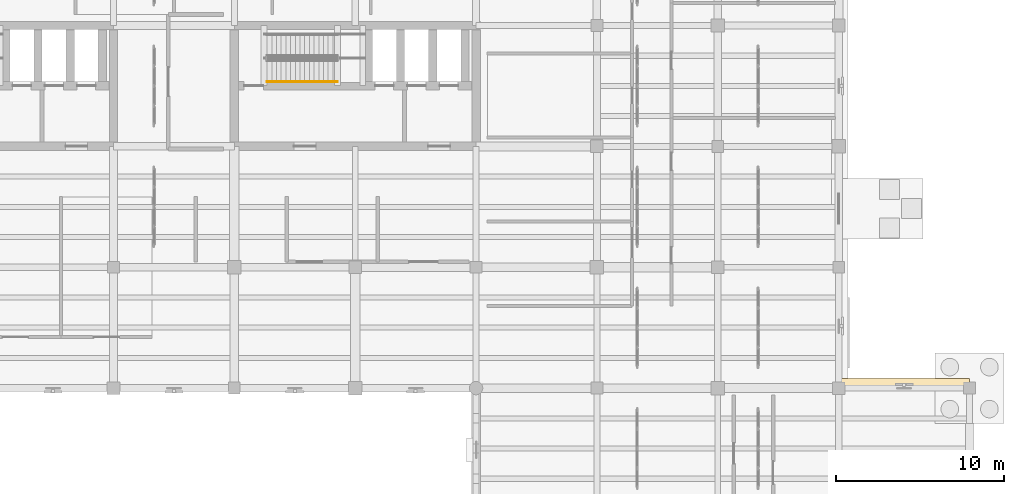
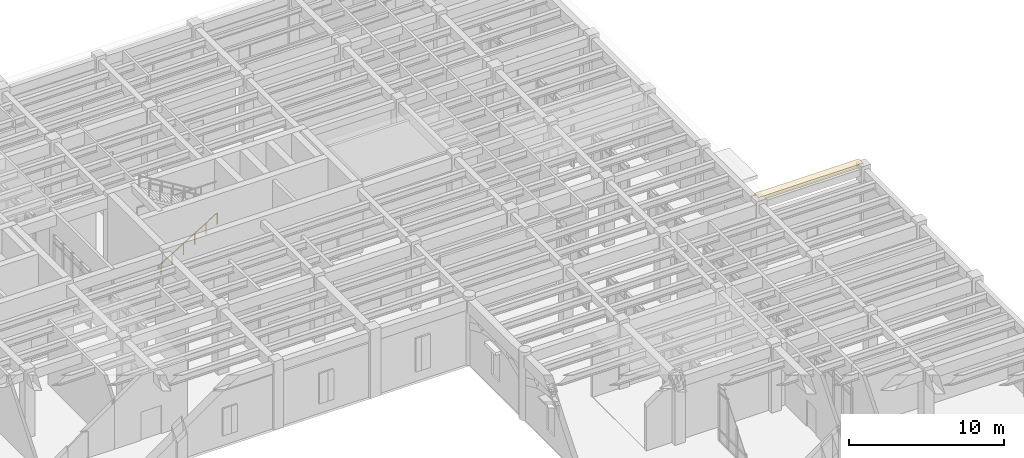
# One storey, part 98 of 100: 1 covering, 1 railing.
"""IFC4 building model written with IfcOpenShell, lengths in metres."""

from ifc_helpers import new_model, si_unit, direction, frame, origin, origin_2d, place, context, subcontext, project, spatial, rectangle, circle, extrude, material, layer, layer_set, type_object, element, save


model = new_model("IFC4")

# Units and contexts
model_context = context("Model", 3, precision=1e-05, world=origin(), true_north=direction((0.0, 1.0)))
body_context = subcontext(model_context, "Body", "Model", "MODEL_VIEW")
ifc_project = project(units=[si_unit("LENGTHUNIT", "METRE"), si_unit("AREAUNIT", "SQUARE_METRE"), si_unit("VOLUMEUNIT", "CUBIC_METRE"), si_unit("PLANEANGLEUNIT", "RADIAN"), si_unit("MASSUNIT", "GRAM", prefix="KILO")], contexts=[model_context])

# Site, building, storey
site_placement = place(None, origin())
site = spatial("IfcSite", under=ifc_project, at=site_placement, CompositionType="ELEMENT")
building_placement = place(site_placement, origin())
building = spatial("IfcBuilding", under=site, at=building_placement, Name="Mithqara Police Headquarters", CompositionType="ELEMENT")
storey_placement = place(building_placement, origin())
storey = spatial("IfcBuildingStorey", under=building, at=storey_placement, Name="L00", CompositionType="ELEMENT", Elevation=0.0)

# Covering
ifc_material_1 = material(Name="Limestone ashlar masonry, 45 MPa", Category="masonry")
ifc_layer = layer(ifc_material_1, 0.320068359375, Name="Limestone ashlar masonry, 45 MPa")
ifc_layer_set = layer_set([ifc_layer], Name="Limestone ashlar masonry, 45 MPa")
covering_type = type_object("IfcCoveringType", Name="CORNICE LIMESTONE", PredefinedType="CLADDING", material=ifc_layer_set)
covering_placement = place(storey_placement, frame((170.10009765625, 78.8798828125, 5.1201171875), z_axis=(0.0, 0.0, 1.0), x_axis=(1.0, 0.0, 0.0)))
element("IfcCovering", 1, at=covering_placement, inside=storey, type_object=covering_type, Name="L00 Projecting Ottoman Limestone Eaves Cornice 5", PredefinedType="CLADDING", context=body_context, shape_type="SweptSolid", body=[
    extrude(rectangle(XDim=7.800048828125, YDim=0.56005859375, at=origin_2d()), origin(), (0.0, 0.0, 1.0), 0.280029296875),
])

# Railing
ifc_material_2 = material(Name="Steel S355JR", Category="steel")
railing_type = type_object("IfcRailingType", Name="HANDRAIL 920", PredefinedType="HANDRAIL", material=ifc_material_2)
railing_placement = place(storey_placement, frame((132.14990234375, 96.85009765625, 0.168701171875)))
element("IfcRailing", 2, at=railing_placement, inside=storey, type_object=railing_type, Name="L00 ST-02 stair handrail 1", PredefinedType="HANDRAIL", context=body_context, shape_type="SweptSolid", body=[
    extrude(circle(Radius=0.02392578125, at=origin_2d()), frame((0.0, 0.0, 0.8759765625), z_axis=(0.856489757249, 0.0, 0.516164020179), x_axis=(0.0, 1.0, 0.0)), (0.0, 0.0, 1.0), 4.904052734375),
    extrude(circle(Radius=0.02099609375, at=origin_2d()), origin(), (0.0, 0.0, 1.0), 0.851806640625),
    extrude(circle(Radius=0.02099609375, at=origin_2d()), frame((0.840087890625, 0.0, 0.50634765625)), (0.0, 0.0, 1.0), 0.851806640625),
    extrude(circle(Radius=0.02099609375, at=origin_2d()), frame((1.68017578125, 0.0, 1.012451171875)), (0.0, 0.0, 1.0), 0.851806640625),
    extrude(circle(Radius=0.02099609375, at=origin_2d()), frame((2.52001953125, 0.0, 1.518798828125)), (0.0, 0.0, 1.0), 0.851806640625),
    extrude(circle(Radius=0.02099609375, at=origin_2d()), frame((3.360107421875, 0.0, 2.02490234375)), (0.0, 0.0, 1.0), 0.851806640625),
    extrude(circle(Radius=0.02099609375, at=origin_2d()), frame((4.2001953125, 0.0, 2.53125)), (0.0, 0.0, 1.0), 0.851806640625),
])

save(model, "model.ifc")
